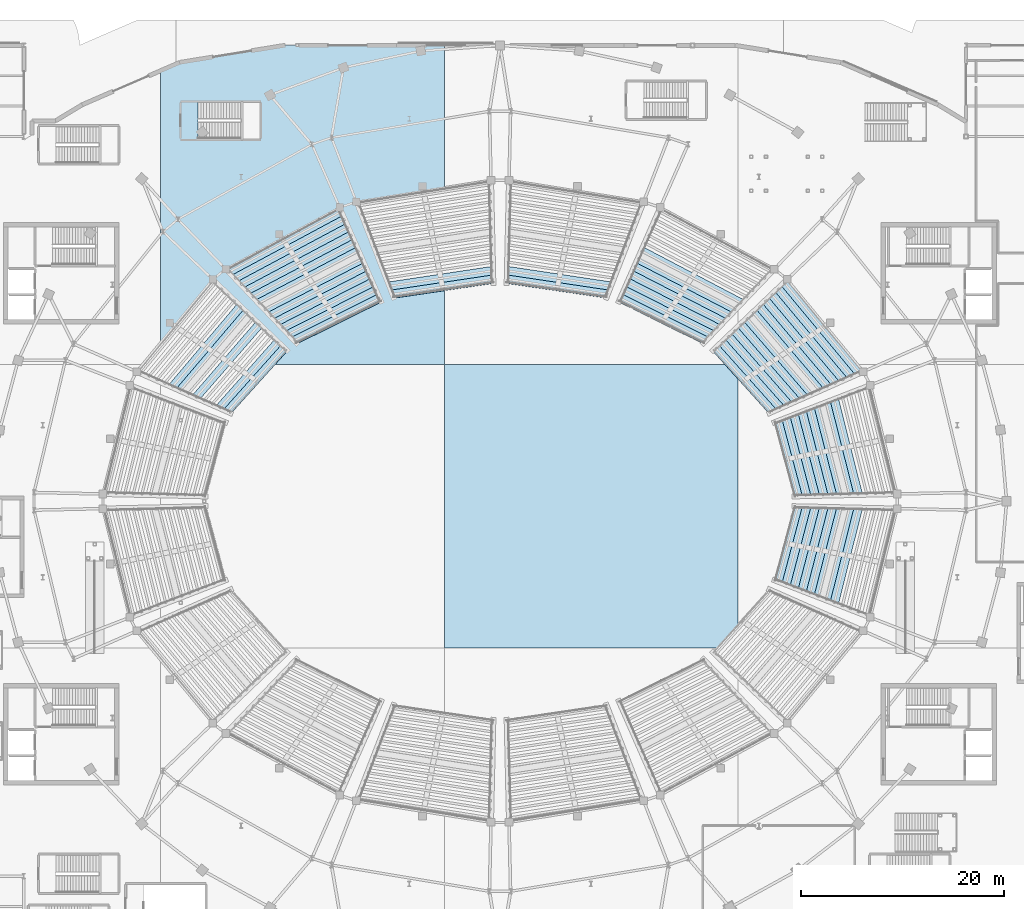
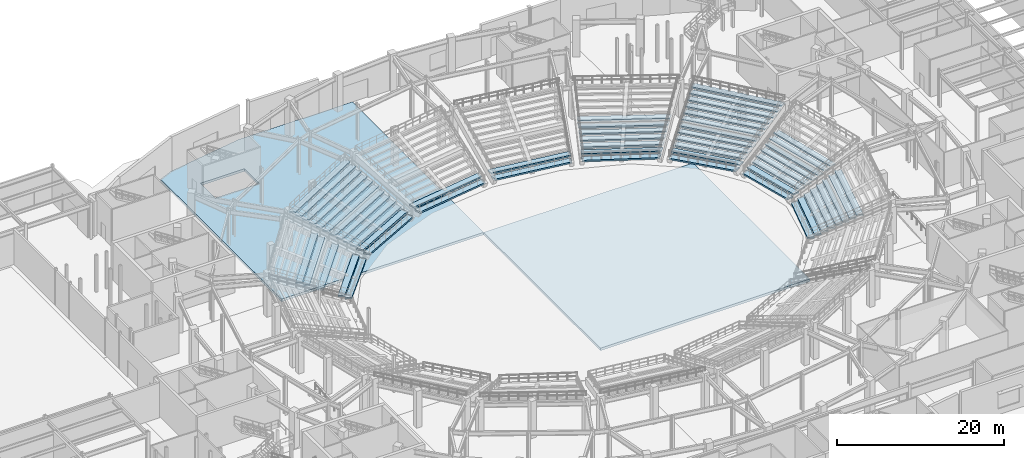
# One storey, part 45 of 79: 58 slabs.
"""IFC4 building model written with IfcOpenShell, lengths in metres."""

from ifc_helpers import new_model, si_unit, direction, frame, origin, place, context, subcontext, project, spatial, polyline, outline, extrude, material, layer, layer_set, type_object, element, save


model = new_model("IFC4")

# Units and contexts
model_context = context("Model", 3, precision=1e-05, world=origin(), true_north=direction((0.0, 1.0)))
body_context = subcontext(model_context, "Body", "Model", "MODEL_VIEW")
ifc_project = project(units=[si_unit("LENGTHUNIT", "METRE"), si_unit("AREAUNIT", "SQUARE_METRE"), si_unit("VOLUMEUNIT", "CUBIC_METRE"), si_unit("PLANEANGLEUNIT", "RADIAN"), si_unit("MASSUNIT", "GRAM", prefix="KILO")], contexts=[model_context])

# Site, building, storey
site_placement = place(None, origin())
site = spatial("IfcSite", under=ifc_project, at=site_placement, CompositionType="ELEMENT")
building_placement = place(site_placement, origin())
building = spatial("IfcBuilding", under=site, at=building_placement, Name="Glasvene Arena", CompositionType="ELEMENT")
storey_placement = place(building_placement, origin())
storey = spatial("IfcBuildingStorey", under=building, at=storey_placement, Name="L00", CompositionType="ELEMENT", Elevation=0.0)

# Slabs
ifc_material_1 = material(Name="Concrete C40/50", Category="concrete")
ifc_layer_1 = layer(ifc_material_1, 0.360107421875)
ifc_layer_set_1 = layer_set([ifc_layer_1], Name="Concrete C40/50")
slab_type_1 = type_object("IfcSlabType", Name="SL-L00-360", PredefinedType="FLOOR", material=ifc_layer_set_1)
slab_1_placement = place(storey_placement, frame((101.0, 72.5, -0.360107421875)))
element("IfcSlab", 1, at=slab_1_placement, inside=storey, type_object=slab_type_1, Name="Structural floor slab L00 sector 3-4 (30)", PredefinedType="FLOOR", context=body_context, shape_type="SweptSolid", body=[
    extrude(outline(polyline([(-14.5, -14.0), (-14.5, 14.0), (14.5, 14.0), (14.5, -14.0), (-14.5, -14.0)])), origin(), (0.0, 0.0, 1.0), 0.360107421875),
])
slab_2_placement = place(storey_placement, frame((70.1962890625, 106.800048828125, -0.360107421875)))
element("IfcSlab", 2, at=slab_2_placement, inside=storey, type_object=slab_type_1, Name="Structural floor slab L00 sector 4-3 (35)", PredefinedType="FLOOR", context=body_context, shape_type="SweptSolid", body=[
    extrude(outline(polyline([(0.600830078125, 11.199951171875), (16.3037109375, 11.199951171875), (16.3037109375, -20.300048828125), (-11.6962890625, -20.300048828125), (-11.6962890625, 8.69189453125), (-9.8154296875, 9.507568359375), (0.600830078125, 11.199951171875)]), holes=[polyline([(-7.994384765625, 2.0), (-1.896240234375, 2.0), (-1.896240234375, 5.550048828125), (-7.994384765625, 5.550048828125), (-7.994384765625, 2.0)])]), origin(), (0.0, 0.0, 1.0), 0.360107421875),
])
ifc_material_2 = material(Name="Precast concrete C50/60", Category="concrete")
ifc_layer_2 = layer(ifc_material_2, 0.219970703125)
ifc_layer_set_2 = layer_set([ifc_layer_2], Name="Precast concrete C50/60")
slab_type_2 = type_object("IfcSlabType", Name="SL-TIER-LOW", PredefinedType="USERDEFINED", material=ifc_layer_set_2)
slab_3_placement = place(storey_placement, frame((120.425537109375, 77.213134765625, 0.5400390625)))
element("IfcSlab", 3, at=slab_3_placement, inside=storey, type_object=slab_type_2, Name="Stand lower tier sector 01 row 01", ObjectType="SEATING TIER", PredefinedType="USERDEFINED", context=body_context, shape_type="SweptSolid", body=[
    extrude(outline(polyline([(0.56689453125, -3.725341796875), (-1.38818359375, 3.561767578125), (-0.595703125, 3.869140625), (1.416748046875, -3.7060546875), (0.56689453125, -3.725341796875)])), origin(), (0.0, 0.0, 1.0), 0.219970703125),
])
slab_4_placement = place(storey_placement, frame((121.24658203125, 77.37646484375, 0.919921875)))
element("IfcSlab", 4, at=slab_4_placement, inside=storey, type_object=slab_type_2, Name="Stand lower tier sector 01 row 02", ObjectType="SEATING TIER", PredefinedType="USERDEFINED", context=body_context, shape_type="SweptSolid", body=[
    extrude(outline(polyline([(0.595703125, -3.869384765625), (-1.416748046875, 3.705810546875), (-0.624267578125, 4.01318359375), (1.445556640625, -3.85009765625), (0.595703125, -3.869384765625)])), origin(), (0.0, 0.0, 1.0), 0.219970703125),
])
slab_5_placement = place(storey_placement, frame((122.06787109375, 77.539794921875, 1.300048828125)))
element("IfcSlab", 5, at=slab_5_placement, inside=storey, type_object=slab_type_2, Name="Stand lower tier sector 01 row 03", ObjectType="SEATING TIER", PredefinedType="USERDEFINED", context=body_context, shape_type="SweptSolid", body=[
    extrude(outline(polyline([(0.624267578125, -4.013427734375), (-1.445556640625, 3.849853515625), (-0.653076171875, 4.1572265625), (1.47412109375, -3.994140625), (0.624267578125, -4.013427734375)])), origin(), (0.0, 0.0, 1.0), 0.219970703125),
])
slab_6_placement = place(storey_placement, frame((122.888916015625, 77.703125, 1.679931640625)))
element("IfcSlab", 6, at=slab_6_placement, inside=storey, type_object=slab_type_2, Name="Stand lower tier sector 01 row 04", ObjectType="SEATING TIER", PredefinedType="USERDEFINED", context=body_context, shape_type="SweptSolid", body=[
    extrude(outline(polyline([(0.653076171875, -4.157470703125), (-1.47412109375, 3.993896484375), (-0.681640625, 4.30126953125), (1.502685546875, -4.13818359375), (0.653076171875, -4.157470703125)])), origin(), (0.0, 0.0, 1.0), 0.219970703125),
])
slab_7_placement = place(storey_placement, frame((123.7099609375, 77.866455078125, 2.06005859375)))
element("IfcSlab", 7, at=slab_7_placement, inside=storey, type_object=slab_type_2, Name="Stand lower tier sector 01 row 05", ObjectType="SEATING TIER", PredefinedType="USERDEFINED", context=body_context, shape_type="SweptSolid", body=[
    extrude(outline(polyline([(0.681640625, -4.301513671875), (-1.502685546875, 4.137939453125), (-0.710205078125, 4.4453125), (1.531494140625, -4.2822265625), (0.681640625, -4.301513671875)])), origin(), (0.0, 0.0, 1.0), 0.219970703125),
])
slab_8_placement = place(storey_placement, frame((124.53125, 78.02978515625, 2.43994140625)))
element("IfcSlab", 8, at=slab_8_placement, inside=storey, type_object=slab_type_2, Name="Stand lower tier sector 01 row 06", ObjectType="SEATING TIER", PredefinedType="USERDEFINED", context=body_context, shape_type="SweptSolid", body=[
    extrude(outline(polyline([(0.710205078125, -4.445556640625), (-1.531494140625, 4.281982421875), (-0.739013671875, 4.58935546875), (1.56005859375, -4.42626953125), (0.710205078125, -4.445556640625)])), origin(), (0.0, 0.0, 1.0), 0.219970703125),
])
slab_9_placement = place(storey_placement, frame((125.352294921875, 78.193115234375, 2.820068359375)))
element("IfcSlab", 9, at=slab_9_placement, inside=storey, type_object=slab_type_2, Name="Stand lower tier sector 01 row 07", ObjectType="SEATING TIER", PredefinedType="USERDEFINED", context=body_context, shape_type="SweptSolid", body=[
    extrude(outline(polyline([(0.739013671875, -4.589599609375), (-1.56005859375, 4.426025390625), (-0.767578125, 4.7333984375), (1.588623046875, -4.5703125), (0.739013671875, -4.589599609375)])), origin(), (0.0, 0.0, 1.0), 0.219970703125),
])
slab_10_placement = place(storey_placement, frame((126.17333984375, 78.3564453125, 3.199951171875)))
element("IfcSlab", 10, at=slab_10_placement, inside=storey, type_object=slab_type_2, Name="Stand lower tier sector 01 row 08", ObjectType="SEATING TIER", PredefinedType="USERDEFINED", context=body_context, shape_type="SweptSolid", body=[
    extrude(outline(polyline([(0.767578125, -4.733642578125), (-1.588623046875, 4.570068359375), (-0.796142578125, 4.87744140625), (1.617431640625, -4.71435546875), (0.767578125, -4.733642578125)])), origin(), (0.0, 0.0, 1.0), 0.219970703125),
])
slab_11_placement = place(storey_placement, frame((116.097900390625, 84.99755859375, 0.5400390625)))
element("IfcSlab", 11, at=slab_11_placement, inside=storey, type_object=slab_type_2, Name="Stand lower tier sector 02 row 01", ObjectType="SEATING TIER", PredefinedType="USERDEFINED", context=body_context, shape_type="SweptSolid", body=[
    extrude(outline(polyline([(2.435791015625, -3.3212890625), (-3.1318359375, 2.8564453125), (-2.517333984375, 3.443603515625), (3.213623046875, -2.978271484375), (2.435791015625, -3.3212890625)])), origin(), (0.0, 0.0, 1.0), 0.219970703125),
])
slab_12_placement = place(storey_placement, frame((116.794189453125, 85.462890625, 0.919921875)))
element("IfcSlab", 12, at=slab_12_placement, inside=storey, type_object=slab_type_2, Name="Stand lower tier sector 02 row 02", ObjectType="SEATING TIER", PredefinedType="USERDEFINED", context=body_context, shape_type="SweptSolid", body=[
    extrude(outline(polyline([(2.517333984375, -3.443603515625), (-3.213623046875, 2.978271484375), (-2.59912109375, 3.565673828125), (3.295166015625, -3.1005859375), (2.517333984375, -3.443603515625)])), origin(), (0.0, 0.0, 1.0), 0.219970703125),
])
slab_13_placement = place(storey_placement, frame((117.490234375, 85.927978515625, 1.300048828125)))
element("IfcSlab", 13, at=slab_13_placement, inside=storey, type_object=slab_type_2, Name="Stand lower tier sector 02 row 03", ObjectType="SEATING TIER", PredefinedType="USERDEFINED", context=body_context, shape_type="SweptSolid", body=[
    extrude(outline(polyline([(2.59912109375, -3.565673828125), (-3.295166015625, 3.1005859375), (-2.6806640625, 3.687744140625), (3.376708984375, -3.22265625), (2.59912109375, -3.565673828125)])), origin(), (0.0, 0.0, 1.0), 0.219970703125),
])
slab_14_placement = place(storey_placement, frame((118.186279296875, 86.39306640625, 1.679931640625)))
element("IfcSlab", 14, at=slab_14_placement, inside=storey, type_object=slab_type_2, Name="Stand lower tier sector 02 row 04", ObjectType="SEATING TIER", PredefinedType="USERDEFINED", context=body_context, shape_type="SweptSolid", body=[
    extrude(outline(polyline([(2.6806640625, -3.687744140625), (-3.376708984375, 3.22265625), (-2.76220703125, 3.809814453125), (3.45849609375, -3.3447265625), (2.6806640625, -3.687744140625)])), origin(), (0.0, 0.0, 1.0), 0.219970703125),
])
slab_15_placement = place(storey_placement, frame((118.882568359375, 86.858154296875, 2.06005859375)))
element("IfcSlab", 15, at=slab_15_placement, inside=storey, type_object=slab_type_2, Name="Stand lower tier sector 02 row 05", ObjectType="SEATING TIER", PredefinedType="USERDEFINED", context=body_context, shape_type="SweptSolid", body=[
    extrude(outline(polyline([(2.76220703125, -3.809814453125), (-3.45849609375, 3.3447265625), (-2.84375, 3.93212890625), (3.539794921875, -3.466796875), (2.76220703125, -3.809814453125)])), origin(), (0.0, 0.0, 1.0), 0.219970703125),
])
slab_16_placement = place(storey_placement, frame((119.57861328125, 87.3232421875, 2.43994140625)))
element("IfcSlab", 16, at=slab_16_placement, inside=storey, type_object=slab_type_2, Name="Stand lower tier sector 02 row 06", ObjectType="SEATING TIER", PredefinedType="USERDEFINED", context=body_context, shape_type="SweptSolid", body=[
    extrude(outline(polyline([(2.84375, -3.931884765625), (-3.539794921875, 3.467041015625), (-2.92529296875, 4.05419921875), (3.62158203125, -3.5888671875), (2.84375, -3.931884765625)])), origin(), (0.0, 0.0, 1.0), 0.219970703125),
])
slab_17_placement = place(storey_placement, frame((120.274658203125, 87.788330078125, 2.820068359375)))
element("IfcSlab", 17, at=slab_17_placement, inside=storey, type_object=slab_type_2, Name="Stand lower tier sector 02 row 07", ObjectType="SEATING TIER", PredefinedType="USERDEFINED", context=body_context, shape_type="SweptSolid", body=[
    extrude(outline(polyline([(2.925537109375, -4.053955078125), (-3.621337890625, 3.589111328125), (-3.007080078125, 4.17626953125), (3.703125, -3.7109375), (2.925537109375, -4.053955078125)])), origin(), (0.0, 0.0, 1.0), 0.219970703125),
])
slab_18_placement = place(storey_placement, frame((120.970703125, 88.253662109375, 3.199951171875)))
element("IfcSlab", 18, at=slab_18_placement, inside=storey, type_object=slab_type_2, Name="Stand lower tier sector 02 row 08", ObjectType="SEATING TIER", PredefinedType="USERDEFINED", context=body_context, shape_type="SweptSolid", body=[
    extrude(outline(polyline([(3.007080078125, -4.17626953125), (-3.703125, 3.7109375), (-3.088623046875, 4.29833984375), (3.784912109375, -3.833251953125), (3.007080078125, -4.17626953125)])), origin(), (0.0, 0.0, 1.0), 0.219970703125),
])
slab_19_placement = place(storey_placement, frame((121.6669921875, 88.71875, 3.580078125)))
element("IfcSlab", 19, at=slab_19_placement, inside=storey, type_object=slab_type_2, Name="Stand lower tier sector 02 row 09", ObjectType="SEATING TIER", PredefinedType="USERDEFINED", context=body_context, shape_type="SweptSolid", body=[
    extrude(outline(polyline([(3.088623046875, -4.29833984375), (-3.784912109375, 3.833251953125), (-3.17041015625, 4.42041015625), (3.8662109375, -3.95556640625), (3.088623046875, -4.29833984375)])), origin(), (0.0, 0.0, 1.0), 0.219970703125),
])
slab_20_placement = place(storey_placement, frame((122.363037109375, 89.183837890625, 3.9599609375)))
element("IfcSlab", 20, at=slab_20_placement, inside=storey, type_object=slab_type_2, Name="Stand lower tier sector 02 row 10", ObjectType="SEATING TIER", PredefinedType="USERDEFINED", context=body_context, shape_type="SweptSolid", body=[
    extrude(outline(polyline([(3.170166015625, -4.420654296875), (-3.866455078125, 3.955322265625), (-3.251708984375, 4.542724609375), (3.947998046875, -4.077392578125), (3.170166015625, -4.420654296875)])), origin(), (0.0, 0.0, 1.0), 0.219970703125),
])
slab_21_placement = place(storey_placement, frame((123.05908203125, 89.64892578125, 4.340087890625)))
element("IfcSlab", 21, at=slab_21_placement, inside=storey, type_object=slab_type_2, Name="Stand lower tier sector 02 row 11", ObjectType="SEATING TIER", PredefinedType="USERDEFINED", context=body_context, shape_type="SweptSolid", body=[
    extrude(outline(polyline([(3.251953125, -4.54248046875), (-3.94775390625, 4.07763671875), (-3.333251953125, 4.664794921875), (4.029541015625, -4.199462890625), (3.251953125, -4.54248046875)])), origin(), (0.0, 0.0, 1.0), 0.219970703125),
])
slab_22_placement = place(storey_placement, frame((123.75537109375, 90.114013671875, 4.719970703125)))
element("IfcSlab", 22, at=slab_22_placement, inside=storey, type_object=slab_type_2, Name="Stand lower tier sector 02 row 12", ObjectType="SEATING TIER", PredefinedType="USERDEFINED", context=body_context, shape_type="SweptSolid", body=[
    extrude(outline(polyline([(3.333251953125, -4.66455078125), (-4.029541015625, 4.19970703125), (-3.4150390625, 4.786865234375), (4.111083984375, -4.321533203125), (3.333251953125, -4.66455078125)])), origin(), (0.0, 0.0, 1.0), 0.219970703125),
])
slab_23_placement = place(storey_placement, frame((108.101806640625, 90.955810546875, 0.5400390625)))
element("IfcSlab", 23, at=slab_23_placement, inside=storey, type_object=slab_type_2, Name="Stand lower tier sector 03 row 01", ObjectType="SEATING TIER", PredefinedType="USERDEFINED", context=body_context, shape_type="SweptSolid", body=[
    extrude(outline(polyline([(3.933837890625, -2.412109375), (-4.39892578125, 1.7158203125), (-4.055908203125, 2.493408203125), (4.52099609375, -1.797607421875), (3.933837890625, -2.412109375)])), origin(), (0.0, 0.0, 1.0), 0.219970703125),
])
slab_24_placement = place(storey_placement, frame((108.56689453125, 91.65185546875, 0.919921875)))
element("IfcSlab", 24, at=slab_24_placement, inside=storey, type_object=slab_type_2, Name="Stand lower tier sector 03 row 02", ObjectType="SEATING TIER", PredefinedType="USERDEFINED", context=body_context, shape_type="SweptSolid", body=[
    extrude(outline(polyline([(4.055908203125, -2.49365234375), (-4.52099609375, 1.79736328125), (-4.177978515625, 2.5751953125), (4.643310546875, -1.879150390625), (4.055908203125, -2.49365234375)])), origin(), (0.0, 0.0, 1.0), 0.219970703125),
])
slab_25_placement = place(storey_placement, frame((109.031982421875, 92.34814453125, 1.300048828125)))
element("IfcSlab", 25, at=slab_25_placement, inside=storey, type_object=slab_type_2, Name="Stand lower tier sector 03 row 03", ObjectType="SEATING TIER", PredefinedType="USERDEFINED", context=body_context, shape_type="SweptSolid", body=[
    extrude(outline(polyline([(4.17822265625, -2.575439453125), (-4.64306640625, 1.87890625), (-4.300048828125, 2.65673828125), (4.765380859375, -1.960693359375), (4.17822265625, -2.575439453125)])), origin(), (0.0, 0.0, 1.0), 0.219970703125),
])
slab_26_placement = place(storey_placement, frame((109.4970703125, 93.044189453125, 1.679931640625)))
element("IfcSlab", 26, at=slab_26_placement, inside=storey, type_object=slab_type_2, Name="Stand lower tier sector 03 row 04", ObjectType="SEATING TIER", PredefinedType="USERDEFINED", context=body_context, shape_type="SweptSolid", body=[
    extrude(outline(polyline([(4.30029296875, -2.65673828125), (-4.76513671875, 1.960693359375), (-4.422119140625, 2.73828125), (4.887451171875, -2.042236328125), (4.30029296875, -2.65673828125)])), origin(), (0.0, 0.0, 1.0), 0.219970703125),
])
slab_27_placement = place(storey_placement, frame((109.96240234375, 93.740234375, 2.06005859375)))
element("IfcSlab", 27, at=slab_27_placement, inside=storey, type_object=slab_type_2, Name="Stand lower tier sector 03 row 05", ObjectType="SEATING TIER", PredefinedType="USERDEFINED", context=body_context, shape_type="SweptSolid", body=[
    extrude(outline(polyline([(4.422119140625, -2.73828125), (-4.887451171875, 2.042236328125), (-4.54443359375, 2.820068359375), (5.00927734375, -2.123779296875), (4.422119140625, -2.73828125)])), origin(), (0.0, 0.0, 1.0), 0.219970703125),
])
slab_28_placement = place(storey_placement, frame((110.427490234375, 94.436279296875, 2.43994140625)))
element("IfcSlab", 28, at=slab_28_placement, inside=storey, type_object=slab_type_2, Name="Stand lower tier sector 03 row 06", ObjectType="SEATING TIER", PredefinedType="USERDEFINED", context=body_context, shape_type="SweptSolid", body=[
    extrude(outline(polyline([(4.544189453125, -2.81982421875), (-5.009521484375, 2.1240234375), (-4.66650390625, 2.901611328125), (5.131591796875, -2.205322265625), (4.544189453125, -2.81982421875)])), origin(), (0.0, 0.0, 1.0), 0.219970703125),
])
slab_29_placement = place(storey_placement, frame((110.892578125, 95.132568359375, 2.820068359375)))
element("IfcSlab", 29, at=slab_29_placement, inside=storey, type_object=slab_type_2, Name="Stand lower tier sector 03 row 07", ObjectType="SEATING TIER", PredefinedType="USERDEFINED", context=body_context, shape_type="SweptSolid", body=[
    extrude(outline(polyline([(4.66650390625, -2.901611328125), (-5.131591796875, 2.205322265625), (-4.78857421875, 2.98291015625), (5.253662109375, -2.287109375), (4.66650390625, -2.901611328125)])), origin(), (0.0, 0.0, 1.0), 0.219970703125),
])
slab_30_placement = place(storey_placement, frame((97.654296875, 94.18017578125, 0.5400390625)))
element("IfcSlab", 30, at=slab_30_placement, inside=storey, type_object=slab_type_2, Name="Stand lower tier sector 04 row 01", ObjectType="SEATING TIER", PredefinedType="USERDEFINED", context=body_context, shape_type="SweptSolid", body=[
    extrude(outline(polyline([(4.832763671875, -1.13525390625), (-4.996337890625, 0.314208984375), (-4.97705078125, 1.1640625), (5.14013671875, -0.3427734375), (4.832763671875, -1.13525390625)])), origin(), (0.0, 0.0, 1.0), 0.219970703125),
])
slab_31_placement = place(storey_placement, frame((97.817626953125, 95.00146484375, 0.919921875)))
element("IfcSlab", 31, at=slab_31_placement, inside=storey, type_object=slab_type_2, Name="Stand lower tier sector 04 row 02", ObjectType="SEATING TIER", PredefinedType="USERDEFINED", context=body_context, shape_type="SweptSolid", body=[
    extrude(outline(polyline([(4.976806640625, -1.1640625), (-5.140380859375, 0.3427734375), (-5.12109375, 1.192626953125), (5.2841796875, -0.37158203125), (4.976806640625, -1.1640625)])), origin(), (0.0, 0.0, 1.0), 0.219970703125),
])
slab_32_placement = place(storey_placement, frame((86.345703125, 94.18017578125, 0.5400390625)))
element("IfcSlab", 32, at=slab_32_placement, inside=storey, type_object=slab_type_2, Name="Stand lower tier sector 05 row 01", ObjectType="SEATING TIER", PredefinedType="USERDEFINED", context=body_context, shape_type="SweptSolid", body=[
    extrude(outline(polyline([(4.996337890625, 0.314208984375), (-4.832763671875, -1.13525390625), (-5.14013671875, -0.3427734375), (4.97705078125, 1.1640625), (4.996337890625, 0.314208984375)])), origin(), (0.0, 0.0, 1.0), 0.219970703125),
])
slab_33_placement = place(storey_placement, frame((86.182373046875, 95.00146484375, 0.919921875)))
element("IfcSlab", 33, at=slab_33_placement, inside=storey, type_object=slab_type_2, Name="Stand lower tier sector 05 row 02", ObjectType="SEATING TIER", PredefinedType="USERDEFINED", context=body_context, shape_type="SweptSolid", body=[
    extrude(outline(polyline([(5.140380859375, 0.3427734375), (-4.976806640625, -1.1640625), (-5.2841796875, -0.37158203125), (5.12109375, 1.192626953125), (5.140380859375, 0.3427734375)])), origin(), (0.0, 0.0, 1.0), 0.219970703125),
])
slab_34_placement = place(storey_placement, frame((75.898193359375, 90.955810546875, 0.5400390625)))
element("IfcSlab", 34, at=slab_34_placement, inside=storey, type_object=slab_type_2, Name="Stand lower tier sector 06 row 01", ObjectType="SEATING TIER", PredefinedType="USERDEFINED", context=body_context, shape_type="SweptSolid", body=[
    extrude(outline(polyline([(4.39892578125, 1.7158203125), (-3.933837890625, -2.412109375), (-4.52099609375, -1.797607421875), (4.055908203125, 2.493408203125), (4.39892578125, 1.7158203125)])), origin(), (0.0, 0.0, 1.0), 0.219970703125),
])
slab_35_placement = place(storey_placement, frame((75.43310546875, 91.65185546875, 0.919921875)))
element("IfcSlab", 35, at=slab_35_placement, inside=storey, type_object=slab_type_2, Name="Stand lower tier sector 06 row 02", ObjectType="SEATING TIER", PredefinedType="USERDEFINED", context=body_context, shape_type="SweptSolid", body=[
    extrude(outline(polyline([(4.52099609375, 1.79736328125), (-4.055908203125, -2.49365234375), (-4.643310546875, -1.879150390625), (4.177978515625, 2.5751953125), (4.52099609375, 1.79736328125)])), origin(), (0.0, 0.0, 1.0), 0.219970703125),
])
slab_36_placement = place(storey_placement, frame((74.968017578125, 92.34814453125, 1.300048828125)))
element("IfcSlab", 36, at=slab_36_placement, inside=storey, type_object=slab_type_2, Name="Stand lower tier sector 06 row 03", ObjectType="SEATING TIER", PredefinedType="USERDEFINED", context=body_context, shape_type="SweptSolid", body=[
    extrude(outline(polyline([(4.64306640625, 1.87890625), (-4.17822265625, -2.575439453125), (-4.765380859375, -1.960693359375), (4.300048828125, 2.65673828125), (4.64306640625, 1.87890625)])), origin(), (0.0, 0.0, 1.0), 0.219970703125),
])
slab_37_placement = place(storey_placement, frame((74.5029296875, 93.044189453125, 1.679931640625)))
element("IfcSlab", 37, at=slab_37_placement, inside=storey, type_object=slab_type_2, Name="Stand lower tier sector 06 row 04", ObjectType="SEATING TIER", PredefinedType="USERDEFINED", context=body_context, shape_type="SweptSolid", body=[
    extrude(outline(polyline([(4.76513671875, 1.960693359375), (-4.30029296875, -2.65673828125), (-4.887451171875, -2.042236328125), (4.422119140625, 2.73828125), (4.76513671875, 1.960693359375)])), origin(), (0.0, 0.0, 1.0), 0.219970703125),
])
slab_38_placement = place(storey_placement, frame((74.03759765625, 93.740234375, 2.06005859375)))
element("IfcSlab", 38, at=slab_38_placement, inside=storey, type_object=slab_type_2, Name="Stand lower tier sector 06 row 05", ObjectType="SEATING TIER", PredefinedType="USERDEFINED", context=body_context, shape_type="SweptSolid", body=[
    extrude(outline(polyline([(4.887451171875, 2.042236328125), (-4.422119140625, -2.73828125), (-5.00927734375, -2.123779296875), (4.54443359375, 2.820068359375), (4.887451171875, 2.042236328125)])), origin(), (0.0, 0.0, 1.0), 0.219970703125),
])
slab_39_placement = place(storey_placement, frame((73.572509765625, 94.436279296875, 2.43994140625)))
element("IfcSlab", 39, at=slab_39_placement, inside=storey, type_object=slab_type_2, Name="Stand lower tier sector 06 row 06", ObjectType="SEATING TIER", PredefinedType="USERDEFINED", context=body_context, shape_type="SweptSolid", body=[
    extrude(outline(polyline([(5.009521484375, 2.1240234375), (-4.544189453125, -2.81982421875), (-5.131591796875, -2.205322265625), (4.66650390625, 2.901611328125), (5.009521484375, 2.1240234375)])), origin(), (0.0, 0.0, 1.0), 0.219970703125),
])
slab_40_placement = place(storey_placement, frame((73.107421875, 95.132568359375, 2.820068359375)))
element("IfcSlab", 40, at=slab_40_placement, inside=storey, type_object=slab_type_2, Name="Stand lower tier sector 06 row 07", ObjectType="SEATING TIER", PredefinedType="USERDEFINED", context=body_context, shape_type="SweptSolid", body=[
    extrude(outline(polyline([(5.131591796875, 2.205322265625), (-4.66650390625, -2.901611328125), (-5.253662109375, -2.287109375), (4.78857421875, 2.98291015625), (5.131591796875, 2.205322265625)])), origin(), (0.0, 0.0, 1.0), 0.219970703125),
])
slab_41_placement = place(storey_placement, frame((72.642333984375, 95.82861328125, 3.199951171875)))
element("IfcSlab", 41, at=slab_41_placement, inside=storey, type_object=slab_type_2, Name="Stand lower tier sector 06 row 08", ObjectType="SEATING TIER", PredefinedType="USERDEFINED", context=body_context, shape_type="SweptSolid", body=[
    extrude(outline(polyline([(5.253662109375, 2.286865234375), (-4.78857421875, -2.983154296875), (-5.3759765625, -2.36865234375), (4.91064453125, 3.064697265625), (5.253662109375, 2.286865234375)])), origin(), (0.0, 0.0, 1.0), 0.219970703125),
])
slab_42_placement = place(storey_placement, frame((72.17724609375, 96.524658203125, 3.580078125)))
element("IfcSlab", 42, at=slab_42_placement, inside=storey, type_object=slab_type_2, Name="Stand lower tier sector 06 row 09", ObjectType="SEATING TIER", PredefinedType="USERDEFINED", context=body_context, shape_type="SweptSolid", body=[
    extrude(outline(polyline([(5.375732421875, 2.36865234375), (-4.910888671875, -3.064697265625), (-5.498046875, -2.4501953125), (5.032958984375, 3.146484375), (5.375732421875, 2.36865234375)])), origin(), (0.0, 0.0, 1.0), 0.219970703125),
])
slab_43_placement = place(storey_placement, frame((71.712158203125, 97.220947265625, 3.9599609375)))
element("IfcSlab", 43, at=slab_43_placement, inside=storey, type_object=slab_type_2, Name="Stand lower tier sector 06 row 10", ObjectType="SEATING TIER", PredefinedType="USERDEFINED", context=body_context, shape_type="SweptSolid", body=[
    extrude(outline(polyline([(5.498046875, 2.4501953125), (-5.032958984375, -3.146484375), (-5.620361328125, -2.531982421875), (5.155029296875, 3.227783203125), (5.498046875, 2.4501953125)])), origin(), (0.0, 0.0, 1.0), 0.219970703125),
])
slab_44_placement = place(storey_placement, frame((71.246826171875, 97.9169921875, 4.340087890625)))
element("IfcSlab", 44, at=slab_44_placement, inside=storey, type_object=slab_type_2, Name="Stand lower tier sector 06 row 11", ObjectType="SEATING TIER", PredefinedType="USERDEFINED", context=body_context, shape_type="SweptSolid", body=[
    extrude(outline(polyline([(5.620361328125, 2.53173828125), (-5.155029296875, -3.22802734375), (-5.7421875, -2.613525390625), (5.277099609375, 3.3095703125), (5.620361328125, 2.53173828125)])), origin(), (0.0, 0.0, 1.0), 0.219970703125),
])
slab_45_placement = place(storey_placement, frame((70.78173828125, 98.613037109375, 4.719970703125)))
element("IfcSlab", 45, at=slab_45_placement, inside=storey, type_object=slab_type_2, Name="Stand lower tier sector 06 row 12", ObjectType="SEATING TIER", PredefinedType="USERDEFINED", context=body_context, shape_type="SweptSolid", body=[
    extrude(outline(polyline([(5.7421875, 2.613525390625), (-5.277099609375, -3.3095703125), (-5.8642578125, -2.69482421875), (5.399169921875, 3.39111328125), (5.7421875, 2.613525390625)])), origin(), (0.0, 0.0, 1.0), 0.219970703125),
])
slab_46_placement = place(storey_placement, frame((67.902099609375, 84.99755859375, 0.5400390625)))
element("IfcSlab", 46, at=slab_46_placement, inside=storey, type_object=slab_type_2, Name="Stand lower tier sector 07 row 01", ObjectType="SEATING TIER", PredefinedType="USERDEFINED", context=body_context, shape_type="SweptSolid", body=[
    extrude(outline(polyline([(3.1318359375, 2.8564453125), (-2.435791015625, -3.3212890625), (-3.213623046875, -2.978271484375), (2.517333984375, 3.443603515625), (3.1318359375, 2.8564453125)])), origin(), (0.0, 0.0, 1.0), 0.219970703125),
])
slab_47_placement = place(storey_placement, frame((67.205810546875, 85.462890625, 0.919921875)))
element("IfcSlab", 47, at=slab_47_placement, inside=storey, type_object=slab_type_2, Name="Stand lower tier sector 07 row 02", ObjectType="SEATING TIER", PredefinedType="USERDEFINED", context=body_context, shape_type="SweptSolid", body=[
    extrude(outline(polyline([(3.213623046875, 2.978271484375), (-2.517333984375, -3.443603515625), (-3.295166015625, -3.1005859375), (2.59912109375, 3.565673828125), (3.213623046875, 2.978271484375)])), origin(), (0.0, 0.0, 1.0), 0.219970703125),
])
slab_48_placement = place(storey_placement, frame((65.117431640625, 86.858154296875, 2.06005859375)))
element("IfcSlab", 48, at=slab_48_placement, inside=storey, type_object=slab_type_2, Name="Stand lower tier sector 07 row 05", ObjectType="SEATING TIER", PredefinedType="USERDEFINED", context=body_context, shape_type="SweptSolid", body=[
    extrude(outline(polyline([(3.45849609375, 3.3447265625), (-2.76220703125, -3.809814453125), (-3.539794921875, -3.466796875), (2.84375, 3.93212890625), (3.45849609375, 3.3447265625)])), origin(), (0.0, 0.0, 1.0), 0.219970703125),
])
slab_49_placement = place(storey_placement, frame((63.725341796875, 87.788330078125, 2.820068359375)))
element("IfcSlab", 49, at=slab_49_placement, inside=storey, type_object=slab_type_2, Name="Stand lower tier sector 07 row 07", ObjectType="SEATING TIER", PredefinedType="USERDEFINED", context=body_context, shape_type="SweptSolid", body=[
    extrude(outline(polyline([(3.621337890625, 3.589111328125), (-2.925537109375, -4.053955078125), (-3.703125, -3.7109375), (3.007080078125, 4.17626953125), (3.621337890625, 3.589111328125)])), origin(), (0.0, 0.0, 1.0), 0.219970703125),
])
slab_50_placement = place(storey_placement, frame((63.029296875, 88.253662109375, 3.199951171875)))
element("IfcSlab", 50, at=slab_50_placement, inside=storey, type_object=slab_type_2, Name="Stand lower tier sector 07 row 08", ObjectType="SEATING TIER", PredefinedType="USERDEFINED", context=body_context, shape_type="SweptSolid", body=[
    extrude(outline(polyline([(3.703125, 3.7109375), (-3.007080078125, -4.17626953125), (-3.784912109375, -3.833251953125), (3.088623046875, 4.29833984375), (3.703125, 3.7109375)])), origin(), (0.0, 0.0, 1.0), 0.219970703125),
])
slab_51_placement = place(storey_placement, frame((120.425537109375, 68.786865234375, 0.5400390625)))
element("IfcSlab", 51, at=slab_51_placement, inside=storey, type_object=slab_type_2, Name="Stand lower tier sector 16 row 01", ObjectType="SEATING TIER", PredefinedType="USERDEFINED", context=body_context, shape_type="SweptSolid", body=[
    extrude(outline(polyline([(-1.38818359375, -3.561767578125), (0.56689453125, 3.725341796875), (1.416748046875, 3.7060546875), (-0.595703125, -3.869140625), (-1.38818359375, -3.561767578125)])), origin(), (0.0, 0.0, 1.0), 0.219970703125),
])
slab_52_placement = place(storey_placement, frame((121.24658203125, 68.62353515625, 0.919921875)))
element("IfcSlab", 52, at=slab_52_placement, inside=storey, type_object=slab_type_2, Name="Stand lower tier sector 16 row 02", ObjectType="SEATING TIER", PredefinedType="USERDEFINED", context=body_context, shape_type="SweptSolid", body=[
    extrude(outline(polyline([(-1.416748046875, -3.705810546875), (0.595703125, 3.869384765625), (1.445556640625, 3.85009765625), (-0.624267578125, -4.01318359375), (-1.416748046875, -3.705810546875)])), origin(), (0.0, 0.0, 1.0), 0.219970703125),
])
slab_53_placement = place(storey_placement, frame((122.06787109375, 68.460205078125, 1.300048828125)))
element("IfcSlab", 53, at=slab_53_placement, inside=storey, type_object=slab_type_2, Name="Stand lower tier sector 16 row 03", ObjectType="SEATING TIER", PredefinedType="USERDEFINED", context=body_context, shape_type="SweptSolid", body=[
    extrude(outline(polyline([(-1.445556640625, -3.849853515625), (0.624267578125, 4.013427734375), (1.47412109375, 3.994140625), (-0.653076171875, -4.1572265625), (-1.445556640625, -3.849853515625)])), origin(), (0.0, 0.0, 1.0), 0.219970703125),
])
slab_54_placement = place(storey_placement, frame((122.888916015625, 68.296875, 1.679931640625)))
element("IfcSlab", 54, at=slab_54_placement, inside=storey, type_object=slab_type_2, Name="Stand lower tier sector 16 row 04", ObjectType="SEATING TIER", PredefinedType="USERDEFINED", context=body_context, shape_type="SweptSolid", body=[
    extrude(outline(polyline([(-1.47412109375, -3.993896484375), (0.653076171875, 4.157470703125), (1.502685546875, 4.13818359375), (-0.681640625, -4.30126953125), (-1.47412109375, -3.993896484375)])), origin(), (0.0, 0.0, 1.0), 0.219970703125),
])
slab_55_placement = place(storey_placement, frame((123.7099609375, 68.133544921875, 2.06005859375)))
element("IfcSlab", 55, at=slab_55_placement, inside=storey, type_object=slab_type_2, Name="Stand lower tier sector 16 row 05", ObjectType="SEATING TIER", PredefinedType="USERDEFINED", context=body_context, shape_type="SweptSolid", body=[
    extrude(outline(polyline([(-1.502685546875, -4.137939453125), (0.681640625, 4.301513671875), (1.531494140625, 4.2822265625), (-0.710205078125, -4.4453125), (-1.502685546875, -4.137939453125)])), origin(), (0.0, 0.0, 1.0), 0.219970703125),
])
slab_56_placement = place(storey_placement, frame((124.53125, 67.97021484375, 2.43994140625)))
element("IfcSlab", 56, at=slab_56_placement, inside=storey, type_object=slab_type_2, Name="Stand lower tier sector 16 row 06", ObjectType="SEATING TIER", PredefinedType="USERDEFINED", context=body_context, shape_type="SweptSolid", body=[
    extrude(outline(polyline([(-1.531494140625, -4.281982421875), (0.710205078125, 4.445556640625), (1.56005859375, 4.42626953125), (-0.739013671875, -4.58935546875), (-1.531494140625, -4.281982421875)])), origin(), (0.0, 0.0, 1.0), 0.219970703125),
])
slab_57_placement = place(storey_placement, frame((125.352294921875, 67.806884765625, 2.820068359375)))
element("IfcSlab", 57, at=slab_57_placement, inside=storey, type_object=slab_type_2, Name="Stand lower tier sector 16 row 07", ObjectType="SEATING TIER", PredefinedType="USERDEFINED", context=body_context, shape_type="SweptSolid", body=[
    extrude(outline(polyline([(-1.56005859375, -4.426025390625), (0.739013671875, 4.589599609375), (1.588623046875, 4.5703125), (-0.767578125, -4.7333984375), (-1.56005859375, -4.426025390625)])), origin(), (0.0, 0.0, 1.0), 0.219970703125),
])
slab_58_placement = place(storey_placement, frame((126.17333984375, 67.6435546875, 3.199951171875)))
element("IfcSlab", 58, at=slab_58_placement, inside=storey, type_object=slab_type_2, Name="Stand lower tier sector 16 row 08", ObjectType="SEATING TIER", PredefinedType="USERDEFINED", context=body_context, shape_type="SweptSolid", body=[
    extrude(outline(polyline([(-1.588623046875, -4.570068359375), (0.767578125, 4.733642578125), (1.617431640625, 4.71435546875), (-0.796142578125, -4.87744140625), (-1.588623046875, -4.570068359375)])), origin(), (0.0, 0.0, 1.0), 0.219970703125),
])

save(model, "model.ifc")
